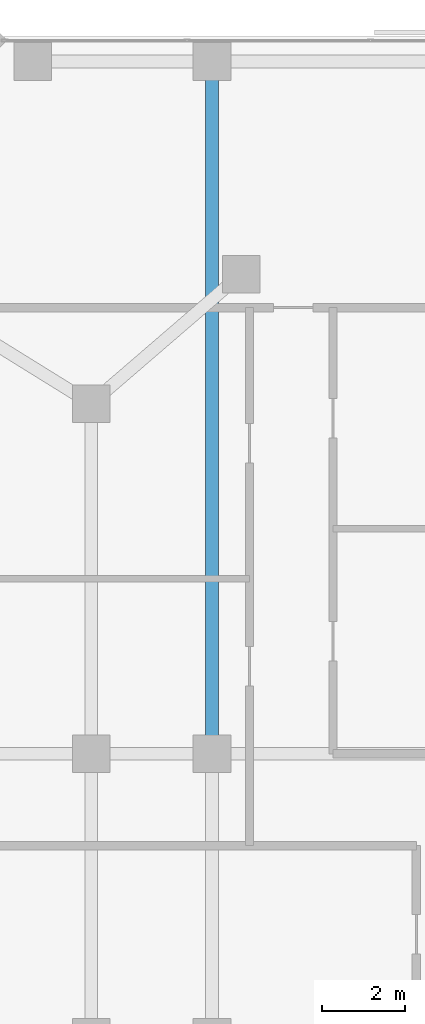
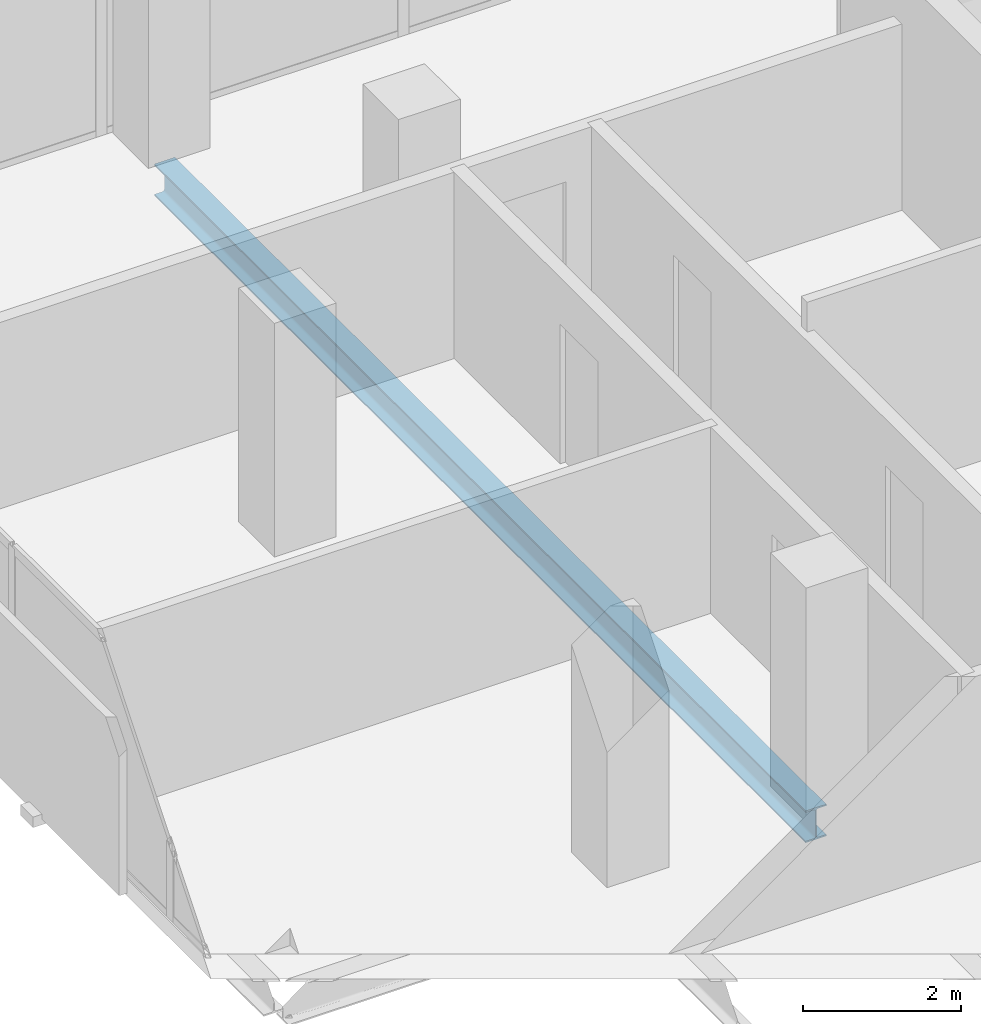
# One storey, part 18 of 33: 1 beam.
"""IFC4 building model written with IfcOpenShell, lengths in metres."""

from ifc_helpers import new_model, si_unit, direction, frame, origin, origin_2d, place, context, subcontext, project, spatial, i_section, extrude, material, material_profile, profile_set, type_object, element, save


model = new_model("IFC4")

# Units and contexts
model_context = context("Model", 3, precision=1e-05, world=origin(), true_north=direction((0.0, 1.0)))
body_context = subcontext(model_context, "Body", "Model", "MODEL_VIEW")
ifc_project = project(units=[si_unit("LENGTHUNIT", "METRE"), si_unit("AREAUNIT", "SQUARE_METRE"), si_unit("VOLUMEUNIT", "CUBIC_METRE"), si_unit("PLANEANGLEUNIT", "RADIAN"), si_unit("MASSUNIT", "GRAM", prefix="KILO")], contexts=[model_context])

# Site, building, storey
site_placement = place(None, origin())
site = spatial("IfcSite", under=ifc_project, at=site_placement, CompositionType="ELEMENT")
building_placement = place(site_placement, origin())
building = spatial("IfcBuilding", under=site, at=building_placement, Name="Catumbela Crestline Tower", CompositionType="ELEMENT")
storey_placement = place(building_placement, frame((0.0, 0.0, 100.8)))
storey = spatial("IfcBuildingStorey", under=building, at=storey_placement, Name="L25", CompositionType="ELEMENT", Elevation=100.8)

# Beam
ifc_material = material(Name="Structural steel S355J2", Category="steel")
ifc_material_profile = material_profile(ifc_material, i_section(OverallWidth=0.3, OverallDepth=0.49, WebThickness=0.012, FlangeThickness=0.023, FilletRadius=0.027, at=origin_2d()), Name="HEA 500")
ifc_profile_set = profile_set([ifc_material_profile], Name="Structural steel S355J2")
beam_type = type_object("IfcBeamType", Name="BG-HEA500", PredefinedType="BEAM", material=ifc_profile_set)
beam_placement = place(storey_placement, frame((8.5, 30.88, -0.505), z_axis=(0.0, 1.0, 0.0), x_axis=(-1.0, 0.0, 0.0)))
element("IfcBeam", 1, at=beam_placement, inside=storey, type_object=beam_type, Name="L25 Beam BM-L25-SN27", PredefinedType="BEAM", context=body_context, shape_type="SweptSolid", body=[
    extrude(i_section(OverallWidth=0.3, OverallDepth=0.49, WebThickness=0.012, FlangeThickness=0.023, FilletRadius=0.027, at=origin_2d()), origin(), (0.0, 0.0, 1.0), 16.44),
])

save(model, "model.ifc")
